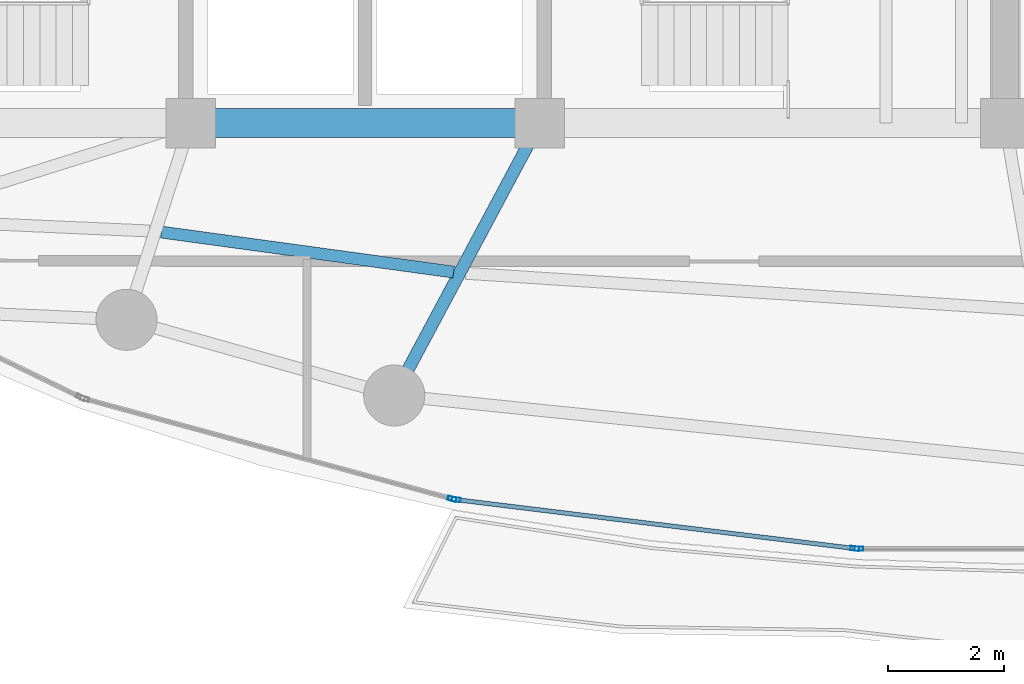
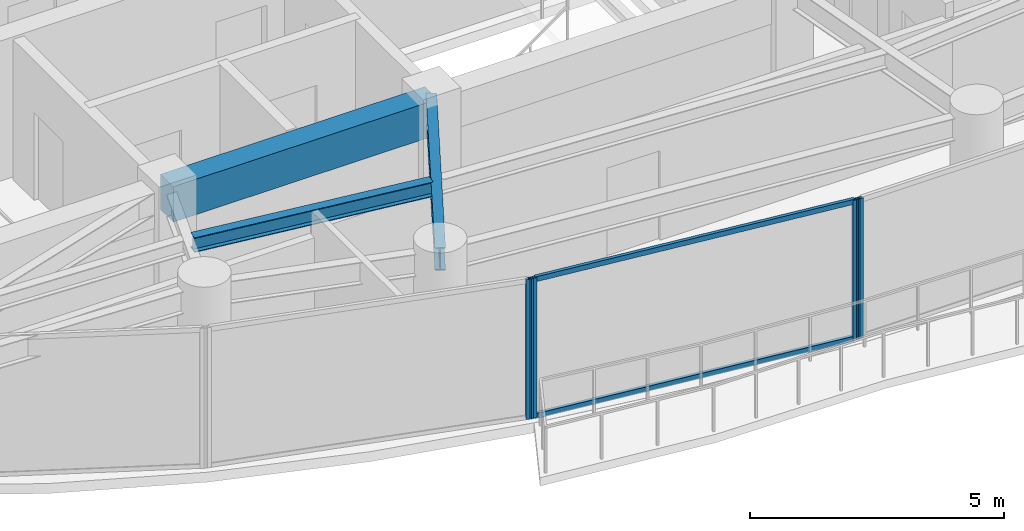
# One storey, part 5 of 29: 6 members, 3 beams, 3 elements without a shape of their own.
"""IFC4 building model written with IfcOpenShell, lengths in metres."""

from ifc_helpers import new_model, si_unit, direction, frame, origin, origin_2d, place, context, subcontext, project, spatial, rectangle, hollow_rectangle, i_section, extrude, material, layer, layer_set, material_profile, profile_set, type_object, element, aggregate, save


model = new_model("IFC4")

# Units and contexts
model_context = context("Model", 3, precision=1e-05, world=origin(), true_north=direction((0.0, 1.0)))
body_context = subcontext(model_context, "Body", "Model", "MODEL_VIEW")
ifc_project = project(units=[si_unit("LENGTHUNIT", "METRE"), si_unit("AREAUNIT", "SQUARE_METRE"), si_unit("VOLUMEUNIT", "CUBIC_METRE"), si_unit("PLANEANGLEUNIT", "RADIAN"), si_unit("MASSUNIT", "GRAM", prefix="KILO")], contexts=[model_context])

# Site, building, storey
site_placement = place(None, origin())
site = spatial("IfcSite", under=ifc_project, at=site_placement, CompositionType="ELEMENT")
building_placement = place(site_placement, origin())
building = spatial("IfcBuilding", under=site, at=building_placement, Name="Kazevale Care Tower and Concert Hall", CompositionType="ELEMENT")
storey_placement = place(building_placement, frame((0.0, 0.0, 199.199951171875)))
storey = spatial("IfcBuildingStorey", under=building, at=storey_placement, Name="L52", CompositionType="ELEMENT", Elevation=199.199951171875)

# Curtain wall, member
ifc_material_1 = material(Name="Aluminium 6063-T6 and Low-E Glass", Category="aluminium")
ifc_layer = layer(ifc_material_1, 0.179931640625)
ifc_layer_set = layer_set([ifc_layer], Name="Aluminium 6063-T6 and Low-E Glass")
curtain_wall_type = type_object("IfcCurtainWallType", Name="Sheltered Concave Balcony Curtain Wall CW-5", PredefinedType="NOTDEFINED", material=ifc_layer_set)
curtain_wall_1_placement = place(storey_placement, origin())
curtain_wall_1 = element("IfcCurtainWall", 1, at=curtain_wall_1_placement, inside=storey, type_object=curtain_wall_type, Name="cw:L52:f06", PredefinedType="NOTDEFINED")
ifc_material_2 = material(Name="Aluminium 6063-T6", Category="aluminium")
ifc_material_profile_1 = material_profile(ifc_material_2, hollow_rectangle(XDim=0.074951171875, YDim=0.14990234375, WallThickness=0.00390625, at=origin_2d()), Name="ALU75x150x4")
ifc_profile_set_1 = profile_set([ifc_material_profile_1], Name="Aluminium 6063-T6")
member_type_1 = type_object("IfcMemberType", Name="CW-5 Mullion ALU75x150x4", PredefinedType="MULLION", material=ifc_profile_set_1)
member_1_placement = place(storey_placement, frame((41.487548828125, 16.284912109375, 0.0), z_axis=(0.0, 0.0, 1.0), x_axis=(0.0, -1.0, 0.0)))
member_1 = element("IfcMember", 2, at=member_1_placement, type_object=member_type_1, Name="CW-5 mullion 2", PredefinedType="MULLION", context=body_context, shape_type="SweptSolid", body=[
    extrude(hollow_rectangle(XDim=0.074951171875, YDim=0.14990234375, WallThickness=0.00390625, at=origin_2d()), origin(), (0.0, 0.0, 1.0), 3.360107421875),
])
aggregate(curtain_wall_1, [member_1])

# Curtain wall, members
curtain_wall_2_placement = place(storey_placement, origin())
curtain_wall_2 = element("IfcCurtainWall", 3, at=curtain_wall_2_placement, inside=storey, type_object=curtain_wall_type, Name="cw:L52:f07", PredefinedType="NOTDEFINED")
member_2_placement = place(storey_placement, frame((41.412841796875, 16.28955078125, 0.0), z_axis=(0.0, 0.0, 1.0), x_axis=(-0.121650797964, -0.992572961225, 0.0)))
member_2 = element("IfcMember", 4, at=member_2_placement, type_object=member_type_1, Name="CW-5 mullion 1", PredefinedType="MULLION", context=body_context, shape_type="SweptSolid", body=[
    extrude(hollow_rectangle(XDim=0.074951171875, YDim=0.14990234375, WallThickness=0.00390625, at=origin_2d()), origin(), (0.0, 0.0, 1.0), 3.360107421875),
])
member_3_placement = place(storey_placement, frame((34.568115234375, 17.12841796875, 0.0), z_axis=(0.0, 0.0, 1.0), x_axis=(-0.121650797964, -0.992572961225, 0.0)))
member_3 = element("IfcMember", 5, at=member_3_placement, type_object=member_type_1, Name="CW-5 mullion 2", PredefinedType="MULLION", context=body_context, shape_type="SweptSolid", body=[
    extrude(hollow_rectangle(XDim=0.074951171875, YDim=0.14990234375, WallThickness=0.00390625, at=origin_2d()), origin(), (0.0, 0.0, 1.0), 3.360107421875),
])

# Curtain wall, member
curtain_wall_3_placement = place(storey_placement, origin())
curtain_wall_3 = element("IfcCurtainWall", 6, at=curtain_wall_3_placement, inside=storey, type_object=curtain_wall_type, Name="cw:L52:f08", PredefinedType="NOTDEFINED")
member_4_placement = place(storey_placement, frame((34.494873046875, 17.142822265625, 0.0), z_axis=(0.0, 0.0, 1.0), x_axis=(-0.262848968947, -0.964836991167, 0.0)))
member_4 = element("IfcMember", 7, at=member_4_placement, type_object=member_type_1, Name="CW-5 mullion 1", PredefinedType="MULLION", context=body_context, shape_type="SweptSolid", body=[
    extrude(hollow_rectangle(XDim=0.074951171875, YDim=0.14990234375, WallThickness=0.00390625, at=origin_2d()), origin(), (0.0, 0.0, 1.0), 3.360107421875),
])
aggregate(curtain_wall_3, [member_4])

# Member
ifc_material_profile_2 = material_profile(ifc_material_2, hollow_rectangle(XDim=0.074951171875, YDim=0.1201171875, WallThickness=0.00390625, at=origin_2d()), Name="ALU75x120x4")
ifc_profile_set_2 = profile_set([ifc_material_profile_2], Name="Aluminium 6063-T6")
member_type_2 = type_object("IfcMemberType", Name="CW-5 Transom ALU75x120x4", PredefinedType="USERDEFINED", material=ifc_profile_set_2)
member_5_placement = place(storey_placement, frame((41.37548828125, 16.294189453125, 0.03759765625), z_axis=(-0.992575633306, 0.121628993941, 0.0), x_axis=(-0.121628993941, -0.992575633306, 0.0)))
member_5 = element("IfcMember", 8, at=member_5_placement, type_object=member_type_2, Name="CW-5 transom 1.1", ObjectType="TRANSOM", PredefinedType="USERDEFINED", context=body_context, shape_type="SweptSolid", body=[
    extrude(hollow_rectangle(XDim=0.074951171875, YDim=0.1201171875, WallThickness=0.00390625, at=origin_2d()), origin(), (0.0, 0.0, 1.0), 6.820556640625),
])

member_6_placement = place(storey_placement, frame((41.37548828125, 16.294189453125, 3.322509765625), z_axis=(-0.992575633306, 0.121628993941, 0.0), x_axis=(-0.121628993941, -0.992575633306, 0.0)))
member_6 = element("IfcMember", 9, at=member_6_placement, type_object=member_type_2, Name="CW-5 transom 1.2", ObjectType="TRANSOM", PredefinedType="USERDEFINED", context=body_context, shape_type="SweptSolid", body=[
    extrude(hollow_rectangle(XDim=0.074951171875, YDim=0.1201171875, WallThickness=0.00390625, at=origin_2d()), origin(), (0.0, 0.0, 1.0), 6.820556640625),
])

aggregate(curtain_wall_2, [member_2, member_3, member_5, member_6])

# Beams
ifc_material_3 = material(Name="Concrete C60", Category="concrete")
ifc_material_profile_3 = material_profile(ifc_material_3, rectangle(XDim=0.5, YDim=0.85009765625, at=origin_2d()), Name="RC-B500x850")
ifc_profile_set_3 = profile_set([ifc_material_profile_3], Name="Concrete C60")
beam_type_1 = type_object("IfcBeamType", Name="Core Coupling Beam RC500x850", PredefinedType="LINTEL", material=ifc_profile_set_3)
beam_1_placement = place(storey_placement, frame((30.0, 23.60009765625, 2.93505859375), z_axis=(1.0, 0.0, 0.0), x_axis=(0.0, 1.0, 0.0)))
element("IfcBeam", 10, at=beam_1_placement, inside=storey, type_object=beam_type_1, Name="beam:L52:coretie:2", PredefinedType="LINTEL", context=body_context, shape_type="SweptSolid", body=[
    extrude(rectangle(XDim=0.5, YDim=0.85009765625, at=origin_2d()), origin(), (0.0, 0.0, 1.0), 6.0),
])
ifc_material_4 = material(Name="Steel ASTM A572 Gr 50", Category="steel")
ifc_material_profile_4 = material_profile(ifc_material_4, i_section(OverallWidth=0.2119140625, OverallDepth=0.5439453125, WebThickness=0.01318359375, FlangeThickness=0.021240234375, at=origin_2d()), Name="W530x123")
ifc_profile_set_4 = profile_set([ifc_material_profile_4], Name="Steel ASTM A572 Gr 50")
beam_type_2 = type_object("IfcBeamType", Name="Radial Floor Girder W530x123", PredefinedType="BEAM", material=ifc_profile_set_4)
beam_2_placement = place(storey_placement, frame((36.0, 23.60009765625, 3.088134765625), z_axis=(-0.471161293943, -0.88204707079, 0.0), x_axis=(0.88204707079, -0.471161293943, 0.0)))
element("IfcBeam", 11, at=beam_2_placement, inside=storey, type_object=beam_type_2, Name="beam:L52:rad:12", PredefinedType="BEAM", context=body_context, shape_type="SweptSolid", body=[
    extrude(i_section(OverallWidth=0.2119140625, OverallDepth=0.5439453125, WebThickness=0.01318359375, FlangeThickness=0.021240234375, at=origin_2d()), origin(), (0.0, 0.0, 1.0), 5.30615234375),
])
ifc_material_profile_5 = material_profile(ifc_material_4, i_section(OverallWidth=0.205078125, OverallDepth=0.35400390625, WebThickness=0.009521484375, FlangeThickness=0.016845703125, at=origin_2d()), Name="W360x79")
ifc_profile_set_5 = profile_set([ifc_material_profile_5], Name="Steel ASTM A572 Gr 50")
beam_type_3 = type_object("IfcBeamType", Name="Secondary Floor Joist W360x79", PredefinedType="JOIST", material=ifc_profile_set_5)
beam_3_placement = place(storey_placement, frame((29.4990234375, 21.72705078125, 3.18310546875), z_axis=(0.990772043119, -0.13553877148, 0.0), x_axis=(0.13553877148, 0.990772043119, 0.0)))
element("IfcBeam", 12, at=beam_3_placement, inside=storey, type_object=beam_type_3, Name="beam:L52:joist:11", PredefinedType="JOIST", context=body_context, shape_type="SweptSolid", body=[
    extrude(i_section(OverallWidth=0.205078125, OverallDepth=0.35400390625, WebThickness=0.009521484375, FlangeThickness=0.016845703125, at=origin_2d()), origin(), (0.0, 0.0, 1.0), 5.06884765625),
])

save(model, "model.ifc")
